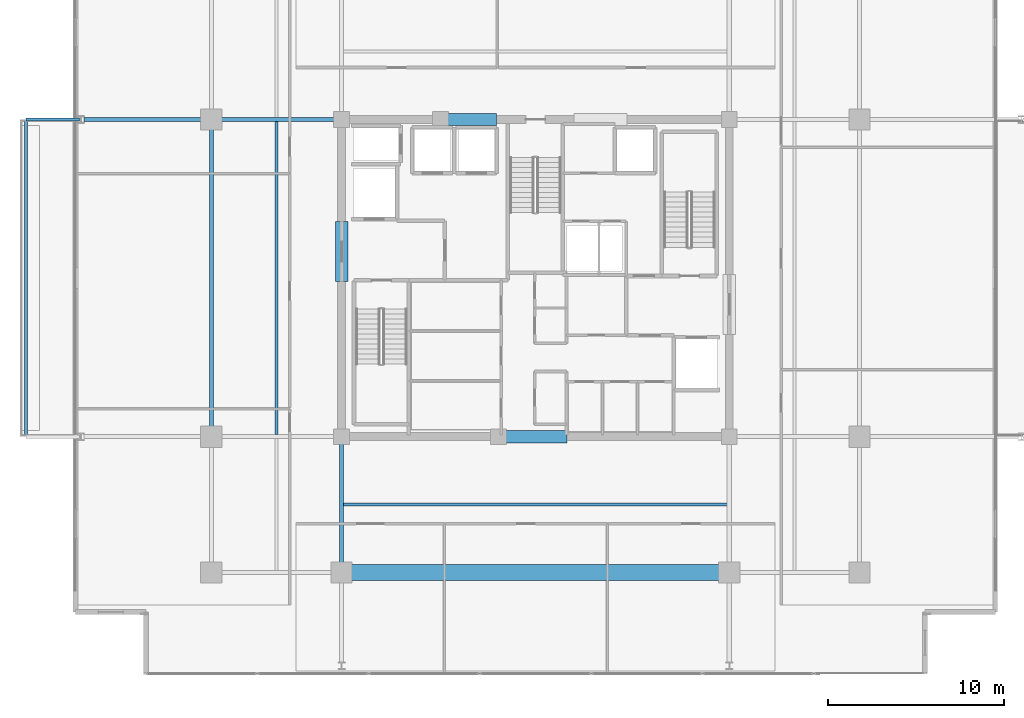
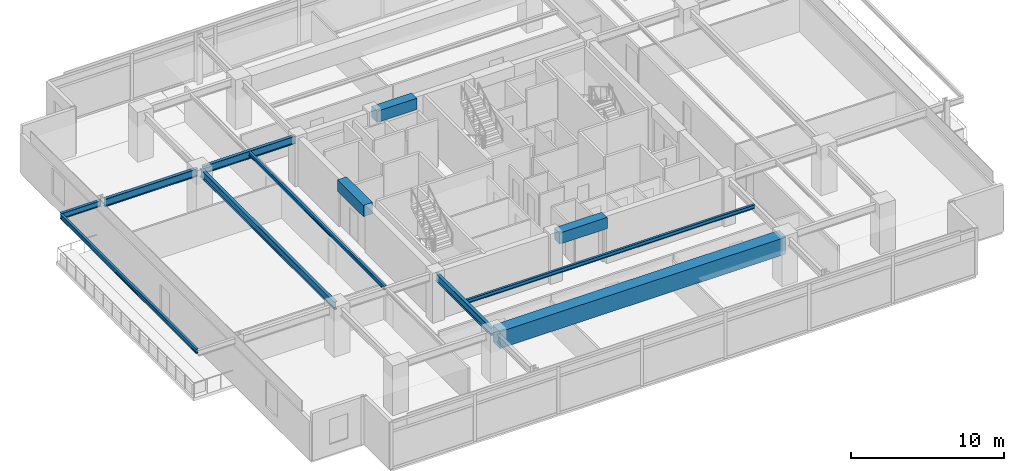
# One storey, part 5 of 24: 12 beams.
"""IFC4 building model written with IfcOpenShell, lengths in metres."""

from ifc_helpers import new_model, si_unit, direction, frame, origin, origin_2d, place, context, subcontext, project, spatial, rectangle, i_section, extrude, material, material_profile, profile_set, type_object, element, save


model = new_model("IFC4")

# Units and contexts
model_context = context("Model", 3, precision=1e-05, world=origin(), true_north=direction((0.0, 1.0)))
body_context = subcontext(model_context, "Body", "Model", "MODEL_VIEW")
ifc_project = project(units=[si_unit("LENGTHUNIT", "METRE"), si_unit("AREAUNIT", "SQUARE_METRE"), si_unit("VOLUMEUNIT", "CUBIC_METRE"), si_unit("PLANEANGLEUNIT", "RADIAN"), si_unit("MASSUNIT", "GRAM", prefix="KILO")], contexts=[model_context])

# Site, building, storey
site_placement = place(None, origin())
site = spatial("IfcSite", under=ifc_project, at=site_placement, CompositionType="ELEMENT")
building_placement = place(site_placement, origin())
building = spatial("IfcBuilding", under=site, at=building_placement, Name="Kovane Verandah Tower", CompositionType="ELEMENT")
storey_placement = place(building_placement, frame((0.0, 0.0, 271.199951171875)))
storey = spatial("IfcBuildingStorey", under=building, at=storey_placement, Name="L63", CompositionType="ELEMENT", Elevation=271.199951171875)

# Beams
ifc_material_1 = material(Name="Concrete C60/75", Category="concrete")
ifc_material_profile_1 = material_profile(ifc_material_1, rectangle(XDim=0.699951171875, YDim=0.89990234375, at=origin_2d()), Name="RCB700x900")
ifc_profile_set_1 = profile_set([ifc_material_profile_1], Name="Concrete C60/75")
beam_type_1 = type_object("IfcBeamType", Name="BM-LINTEL-700x900", PredefinedType="LINTEL", material=ifc_profile_set_1)
beam_1_placement = place(storey_placement, frame((38.199951171875, 18.5, 3.3349609375), z_axis=(1.0, 0.0, 0.0), x_axis=(0.0, 1.0, 0.0)))
element("IfcBeam", 1, at=beam_1_placement, inside=storey, type_object=beam_type_1, Name="L63 Core Coupling Lintel CL-S", PredefinedType="LINTEL", context=body_context, shape_type="SweptSolid", body=[
    extrude(rectangle(XDim=0.699951171875, YDim=0.89990234375, at=origin_2d()), origin(), (0.0, 0.0, 1.0), 3.60009765625),
])
beam_2_placement = place(storey_placement, frame((34.800048828125, 36.5, 3.3349609375), z_axis=(1.0, 0.0, 0.0), x_axis=(0.0, 1.0, 0.0)))
element("IfcBeam", 2, at=beam_2_placement, inside=storey, type_object=beam_type_1, Name="L63 Core Coupling Lintel CL-N1", PredefinedType="LINTEL", context=body_context, shape_type="SweptSolid", body=[
    extrude(rectangle(XDim=0.699951171875, YDim=0.89990234375, at=origin_2d()), origin(), (0.0, 0.0, 1.0), 3.0),
])
beam_3_placement = place(storey_placement, frame((29.0, 27.300048828125, 3.3349609375), z_axis=(0.0, 1.0, 0.0), x_axis=(-1.0, 0.0, 0.0)))
element("IfcBeam", 3, at=beam_3_placement, inside=storey, type_object=beam_type_1, Name="L63 Core Coupling Lintel CL-W", PredefinedType="LINTEL", context=body_context, shape_type="SweptSolid", body=[
    extrude(rectangle(XDim=0.699951171875, YDim=0.89990234375, at=origin_2d()), origin(), (0.0, 0.0, 1.0), 3.39990234375),
])
ifc_material_2 = material(Name="Concrete C80/95", Category="concrete")
ifc_material_profile_2 = material_profile(ifc_material_2, rectangle(XDim=0.89990234375, YDim=1.35009765625, at=origin_2d()), Name="RCB900x1350")
ifc_profile_set_2 = profile_set([ifc_material_profile_2], Name="Concrete C80/95")
beam_type_2 = type_object("IfcBeamType", Name="BM-TR-900x1350", PredefinedType="BEAM", material=ifc_profile_set_2)
beam_4_placement = place(storey_placement, frame((29.179931640625, 10.800048828125, 3.110107421875), z_axis=(1.0, 0.0, 0.0), x_axis=(0.0, 1.0, 0.0)))
element("IfcBeam", 4, at=beam_4_placement, inside=storey, type_object=beam_type_2, Name="L63 Primary Tower Girder G-RS2", PredefinedType="BEAM", context=body_context, shape_type="SweptSolid", body=[
    extrude(rectangle(XDim=0.89990234375, YDim=1.35009765625, at=origin_2d()), origin(), (0.0, 0.0, 1.0), 21.64013671875),
])
ifc_material_3 = material(Name="Steel S355", Category="steel")
ifc_material_profile_3 = material_profile(ifc_material_3, i_section(OverallWidth=0.230224609375, OverallDepth=0.6171875, WebThickness=0.01318359375, FlangeThickness=0.022216796875, FilletRadius=0.0126953125, at=origin_2d()), Name="UB610x229x140")
ifc_profile_set_3 = profile_set([ifc_material_profile_3], Name="Steel S355")
beam_type_3 = type_object("IfcBeamType", Name="BM-UB610x140", PredefinedType="BEAM", material=ifc_profile_set_3)
beam_5_placement = place(storey_placement, frame((21.60009765625, 18.679931640625, 3.4765625), z_axis=(0.0, 1.0, 0.0), x_axis=(-1.0, 0.0, 0.0)))
element("IfcBeam", 5, at=beam_5_placement, inside=storey, type_object=beam_type_3, Name="L63 Primary Tower Girder G-RW2", PredefinedType="BEAM", context=body_context, shape_type="SweptSolid", body=[
    extrude(i_section(OverallWidth=0.230224609375, OverallDepth=0.6171875, WebThickness=0.01318359375, FlangeThickness=0.022216796875, FilletRadius=0.0126953125, at=origin_2d()), origin(), (0.0, 0.0, 1.0), 17.64013671875),
])
beam_6_placement = place(storey_placement, frame((28.820068359375, 36.5, 3.4765625), z_axis=(-1.0, 0.0, 0.0), x_axis=(0.0, -1.0, 0.0)))
element("IfcBeam", 6, at=beam_6_placement, inside=storey, type_object=beam_type_3, Name="L63 Primary Tower Girder G-W2", PredefinedType="BEAM", context=body_context, shape_type="SweptSolid", body=[
    extrude(i_section(OverallWidth=0.230224609375, OverallDepth=0.6171875, WebThickness=0.01318359375, FlangeThickness=0.022216796875, FilletRadius=0.0126953125, at=origin_2d()), origin(), (0.0, 0.0, 1.0), 7.0400390625),
])
beam_7_placement = place(storey_placement, frame((29.0, 18.320068359375, 3.4765625), z_axis=(0.0, -1.0, 0.0), x_axis=(1.0, 0.0, 0.0)))
element("IfcBeam", 7, at=beam_7_placement, inside=storey, type_object=beam_type_3, Name="L63 Primary Tower Girder G-S1", PredefinedType="BEAM", context=body_context, shape_type="SweptSolid", body=[
    extrude(i_section(OverallWidth=0.230224609375, OverallDepth=0.6171875, WebThickness=0.01318359375, FlangeThickness=0.022216796875, FilletRadius=0.0126953125, at=origin_2d()), origin(), (0.0, 0.0, 1.0), 7.340087890625),
])
beam_8_placement = place(storey_placement, frame((21.419921875, 36.5, 3.451416015625), z_axis=(-1.0, 0.0, 0.0), x_axis=(0.0, -1.0, 0.0)))
element("IfcBeam", 8, at=beam_8_placement, inside=storey, type_object=beam_type_3, Name="L63 Primary Tower Girder G-VW2", PredefinedType="BEAM", context=body_context, shape_type="SweptSolid", body=[
    extrude(i_section(OverallWidth=0.230224609375, OverallDepth=0.6171875, WebThickness=0.01318359375, FlangeThickness=0.022216796875, FilletRadius=0.0126953125, at=origin_2d()), origin(), (0.0, 0.0, 1.0), 7.0400390625),
])
ifc_material_profile_4 = material_profile(ifc_material_3, i_section(OverallWidth=0.1669921875, OverallDepth=0.310302734375, WebThickness=0.0078125, FlangeThickness=0.013671875, FilletRadius=0.0087890625, at=origin_2d()), Name="UB305x165x54")
ifc_profile_set_4 = profile_set([ifc_material_profile_4], Name="Steel S355")
beam_type_4 = type_object("IfcBeamType", Name="JST-UB305x54", PredefinedType="JOIST", material=ifc_profile_set_4)
beam_9_placement = place(storey_placement, frame((29.113037109375, 14.64990234375, 3.6298828125), z_axis=(1.0, 0.0, 0.0), x_axis=(0.0, 1.0, 0.0)))
element("IfcBeam", 9, at=beam_9_placement, inside=storey, type_object=beam_type_4, Name="L63 Secondary Composite Joist J-S1", PredefinedType="JOIST", context=body_context, shape_type="SweptSolid", body=[
    extrude(i_section(OverallWidth=0.1669921875, OverallDepth=0.310302734375, WebThickness=0.0078125, FlangeThickness=0.013671875, FilletRadius=0.0087890625, at=origin_2d()), origin(), (0.0, 0.0, 1.0), 21.77392578125),
])
beam_10_placement = place(storey_placement, frame((25.300048828125, 18.613037109375, 3.6298828125), z_axis=(0.0, 1.0, 0.0), x_axis=(-1.0, 0.0, 0.0)))
element("IfcBeam", 10, at=beam_10_placement, inside=storey, type_object=beam_type_4, Name="L63 Secondary Composite Joist J-W1", PredefinedType="JOIST", context=body_context, shape_type="SweptSolid", body=[
    extrude(i_section(OverallWidth=0.1669921875, OverallDepth=0.310302734375, WebThickness=0.0078125, FlangeThickness=0.013671875, FilletRadius=0.0087890625, at=origin_2d()), origin(), (0.0, 0.0, 1.0), 17.77392578125),
])
ifc_material_profile_5 = material_profile(ifc_material_3, i_section(OverallWidth=0.19287109375, OverallDepth=0.46728515625, WebThickness=0.011474609375, FlangeThickness=0.01953125, FilletRadius=0.01025390625, at=origin_2d()), Name="UB457x191x98")
ifc_profile_set_5 = profile_set([ifc_material_profile_5], Name="Steel S355")
beam_type_5 = type_object("IfcBeamType", Name="JST-UB457x98", PredefinedType="JOIST", material=ifc_profile_set_5)
beam_11_placement = place(storey_placement, frame((14.1201171875, 36.5, 3.5263671875), z_axis=(-1.0, 0.0, 0.0), x_axis=(0.0, -1.0, 0.0)))
element("IfcBeam", 11, at=beam_11_placement, inside=storey, type_object=beam_type_5, Name="L63 West Planter Girder 2", PredefinedType="JOIST", context=body_context, shape_type="SweptSolid", body=[
    extrude(i_section(OverallWidth=0.19287109375, OverallDepth=0.46728515625, WebThickness=0.011474609375, FlangeThickness=0.01953125, FilletRadius=0.01025390625, at=origin_2d()), origin(), (0.0, 0.0, 1.0), 3.039306640625),
])
ifc_material_profile_6 = material_profile(ifc_material_3, i_section(OverallWidth=0.173095703125, OverallDepth=0.36328125, WebThickness=0.009033203125, FlangeThickness=0.015625, FilletRadius=0.01025390625, at=origin_2d()), Name="UB356x171x67")
ifc_profile_set_6 = profile_set([ifc_material_profile_6], Name="Steel S355")
beam_type_6 = type_object("IfcBeamType", Name="SPD-UB356x67", PredefinedType="USERDEFINED", material=ifc_profile_set_6)
beam_12_placement = place(storey_placement, frame((11.080810546875, 18.594482421875, 3.578369140625), z_axis=(0.0, 1.0, 0.0), x_axis=(-1.0, 0.0, 0.0)))
element("IfcBeam", 12, at=beam_12_placement, inside=storey, type_object=beam_type_6, Name="L63 West Planter Edge Spandrel", ObjectType="SPANDREL", PredefinedType="USERDEFINED", context=body_context, shape_type="SweptSolid", body=[
    extrude(i_section(OverallWidth=0.173095703125, OverallDepth=0.36328125, WebThickness=0.009033203125, FlangeThickness=0.015625, FilletRadius=0.01025390625, at=origin_2d()), origin(), (0.0, 0.0, 1.0), 17.81103515625),
])

save(model, "model.ifc")
